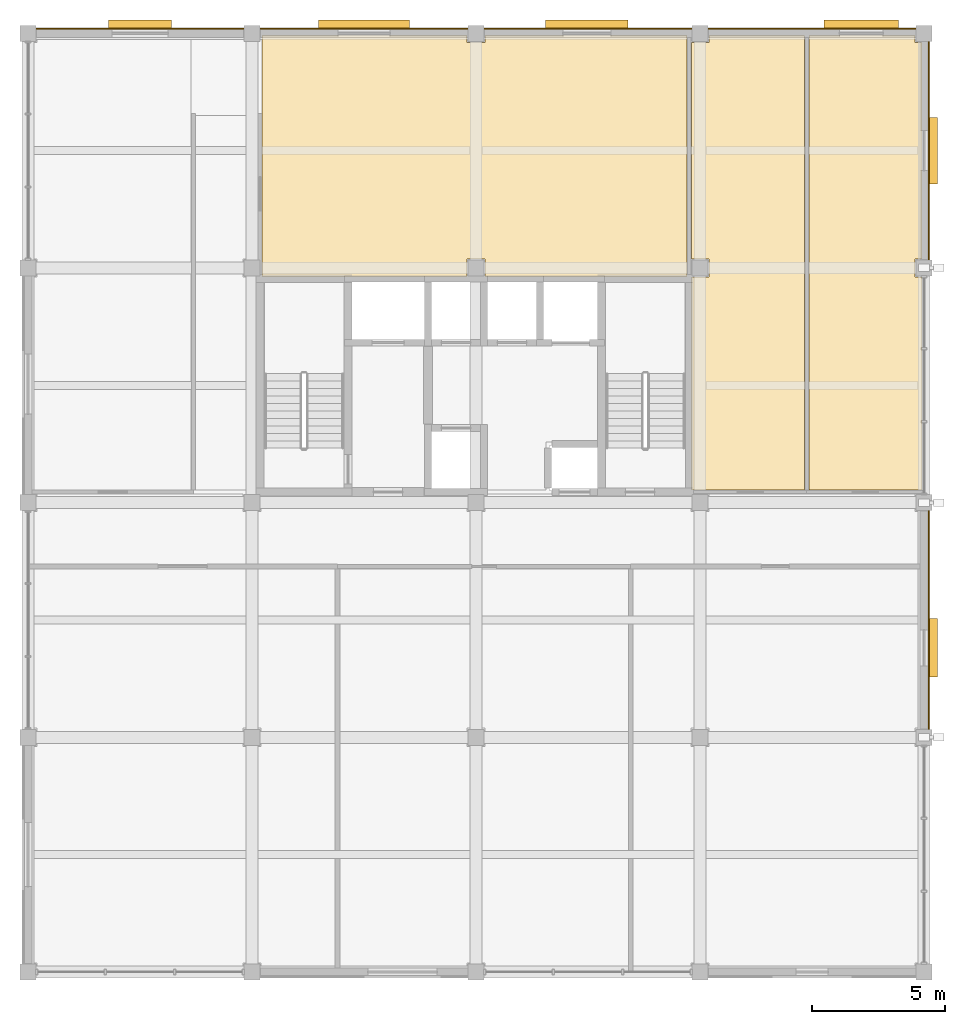
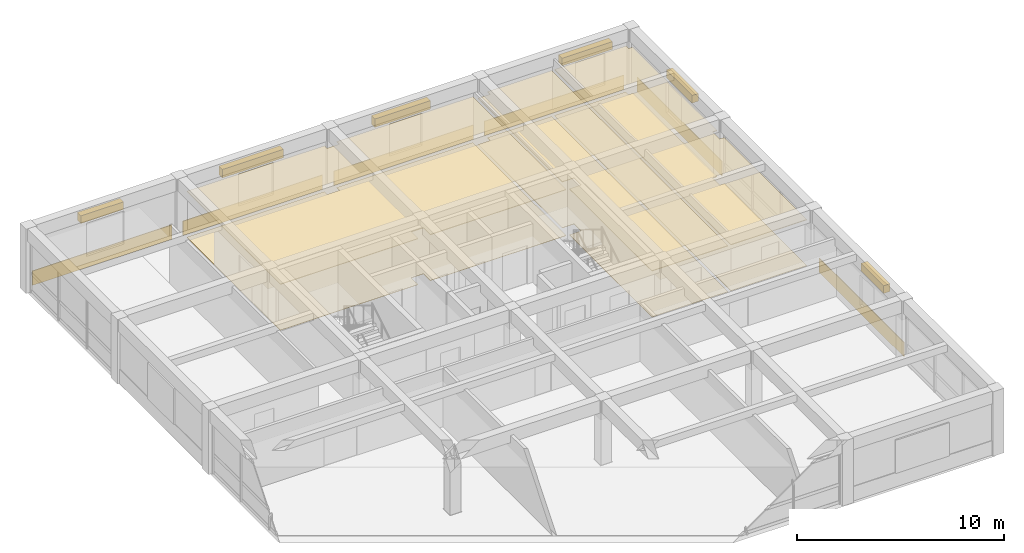
# One storey, part 12 of 12: 12 coverings, 6 shading devices.
"""IFC4 building model written with IfcOpenShell, lengths in metres."""

from ifc_helpers import new_model, si_unit, direction, frame, origin, origin_2d, place, context, subcontext, project, spatial, polyline, rectangle, outline, extrude, material, layer, layer_set, type_object, element, save


model = new_model("IFC4")

# Units and contexts
model_context = context("Model", 3, precision=1e-05, world=origin(), true_north=direction((0.0, 1.0)))
body_context = subcontext(model_context, "Body", "Model", "MODEL_VIEW")
ifc_project = project(units=[si_unit("LENGTHUNIT", "METRE"), si_unit("AREAUNIT", "SQUARE_METRE"), si_unit("VOLUMEUNIT", "CUBIC_METRE"), si_unit("PLANEANGLEUNIT", "RADIAN"), si_unit("MASSUNIT", "GRAM", prefix="KILO")], contexts=[model_context])

# Site, building, storey
site_placement = place(None, origin())
site = spatial("IfcSite", under=ifc_project, at=site_placement, CompositionType="ELEMENT")
building_placement = place(site_placement, origin())
building = spatial("IfcBuilding", under=site, at=building_placement, Name="Kemercrest Conservatory and Botanical Centre", CompositionType="ELEMENT")
storey_placement = place(building_placement, frame((0.0, 0.0, 52.199951171875)))
storey = spatial("IfcBuildingStorey", under=building, at=storey_placement, Name="L13", CompositionType="ELEMENT", Elevation=52.199951171875)

# Coverings
ifc_material_1 = material(Name="Honed limestone almasik ashlar rainscreen", Category="masonry")
ifc_layer_1 = layer(ifc_material_1, 0.0400390625)
ifc_layer_set_1 = layer_set([ifc_layer_1], Name="Honed limestone almasik ashlar rainscreen")
covering_type_1 = type_object("IfcCoveringType", Name="CV-CLD040", PredefinedType="CLADDING", material=ifc_layer_set_1)
covering_1_placement = place(storey_placement, origin())
element("IfcCovering", 1, at=covering_1_placement, inside=storey, type_object=covering_type_1, Name="Exterior stone spandrel cladding (WAL:L13:EXT-325)", PredefinedType="CLADDING", context=body_context, shape_type="SweptSolid", body=[
    extrude(outline(polyline([(176.14990234375, 96.31005859375), (176.18994140625, 96.31005859375), (176.18994140625, 104.489990234375), (176.14990234375, 104.489990234375), (176.14990234375, 96.31005859375)])), origin(), (0.0, 0.0, 1.0), 0.85009765625),
])
covering_2_placement = place(storey_placement, origin())
element("IfcCovering", 2, at=covering_2_placement, inside=storey, type_object=covering_type_1, Name="Exterior stone spandrel cladding (WAL:L13:EXT-326)", PredefinedType="CLADDING", context=body_context, shape_type="SweptSolid", body=[
    extrude(outline(polyline([(176.14990234375, 113.909912109375), (176.18994140625, 113.909912109375), (176.18994140625, 122.090087890625), (176.14990234375, 122.090087890625), (176.14990234375, 113.909912109375)])), origin(), (0.0, 0.0, 1.0), 0.85009765625),
])
covering_3_placement = place(storey_placement, origin())
element("IfcCovering", 3, at=covering_3_placement, inside=storey, type_object=covering_type_1, Name="Exterior stone spandrel cladding (WAL:L13:EXT-327)", PredefinedType="CLADDING", context=body_context, shape_type="SweptSolid", body=[
    extrude(outline(polyline([(175.68994140625, 122.550048828125), (175.68994140625, 122.590087890625), (167.909912109375, 122.590087890625), (167.909912109375, 122.550048828125), (175.68994140625, 122.550048828125)])), origin(), (0.0, 0.0, 1.0), 0.85009765625),
])
covering_4_placement = place(storey_placement, origin())
element("IfcCovering", 4, at=covering_4_placement, inside=storey, type_object=covering_type_1, Name="Exterior stone spandrel cladding (WAL:L13:EXT-328)", PredefinedType="CLADDING", context=body_context, shape_type="SweptSolid", body=[
    extrude(outline(polyline([(167.2900390625, 122.550048828125), (167.2900390625, 122.590087890625), (159.510009765625, 122.590087890625), (159.510009765625, 122.550048828125), (167.2900390625, 122.550048828125)])), origin(), (0.0, 0.0, 1.0), 0.85009765625),
])
covering_5_placement = place(storey_placement, origin())
element("IfcCovering", 5, at=covering_5_placement, inside=storey, type_object=covering_type_1, Name="Exterior stone spandrel cladding (WAL:L13:EXT-329)", PredefinedType="CLADDING", context=body_context, shape_type="SweptSolid", body=[
    extrude(outline(polyline([(158.889892578125, 122.550048828125), (158.889892578125, 122.590087890625), (151.110107421875, 122.590087890625), (151.110107421875, 122.550048828125), (158.889892578125, 122.550048828125)])), origin(), (0.0, 0.0, 1.0), 0.85009765625),
])
covering_6_placement = place(storey_placement, origin())
element("IfcCovering", 6, at=covering_6_placement, inside=storey, type_object=covering_type_1, Name="Exterior stone spandrel cladding (WAL:L13:EXT-330)", PredefinedType="CLADDING", context=body_context, shape_type="SweptSolid", body=[
    extrude(outline(polyline([(150.489990234375, 122.550048828125), (150.489990234375, 122.590087890625), (142.7099609375, 122.590087890625), (142.7099609375, 122.550048828125), (150.489990234375, 122.550048828125)])), origin(), (0.0, 0.0, 1.0), 0.85009765625),
])
ifc_material_2 = material(Name="Perforated acoustic gypsum and mineral-fibre suspended ceiling", Category="gypsum")
ifc_layer_2 = layer(ifc_material_2, 0.034912109375)
ifc_layer_set_2 = layer_set([ifc_layer_2], Name="Perforated acoustic gypsum and mineral-fibre suspended ceiling")
covering_type_2 = type_object("IfcCoveringType", Name="CV-CLG035", PredefinedType="CEILING", material=ifc_layer_set_2)
covering_7_placement = place(storey_placement, frame((0.0, 0.0, 2.699951171875)))
element("IfcCovering", 7, at=covering_7_placement, inside=storey, type_object=covering_type_2, Name="Botanical Archive Reading Studio suspended acoustic ceiling", PredefinedType="CEILING", context=body_context, shape_type="SweptSolid", body=[
    extrude(outline(polyline([(159.5400390625, 113.280029296875), (167.1201171875, 113.280029296875), (167.1201171875, 122.320068359375), (159.5400390625, 122.320068359375), (159.5400390625, 122.06005859375), (158.860107421875, 122.06005859375), (158.860107421875, 122.320068359375), (151.179931640625, 122.320068359375), (151.179931640625, 113.280029296875), (158.860107421875, 113.280029296875), (158.860107421875, 113.93994140625), (159.5400390625, 113.93994140625), (159.5400390625, 113.280029296875)])), origin(), (0.0, 0.0, 1.0), 0.03515625),
])
covering_8_placement = place(storey_placement, frame((0.0, 0.0, 2.699951171875)))
element("IfcCovering", 8, at=covering_8_placement, inside=storey, type_object=covering_type_2, Name="Staff Washroom suspended acoustic ceiling", PredefinedType="CEILING", context=body_context, shape_type="SweptSolid", body=[
    extrude(outline(polyline([(167.280029296875, 105.280029296875), (171.52001953125, 105.280029296875), (171.52001953125, 122.320068359375), (167.93994140625, 122.320068359375), (167.93994140625, 122.06005859375), (167.280029296875, 122.06005859375), (167.280029296875, 113.93994140625), (167.93994140625, 113.93994140625), (167.93994140625, 113.260009765625), (167.280029296875, 113.260009765625), (167.280029296875, 105.280029296875)])), origin(), (0.0, 0.0, 1.0), 0.03515625),
])
covering_9_placement = place(storey_placement, frame((0.0, 0.0, 2.699951171875)))
element("IfcCovering", 9, at=covering_9_placement, inside=storey, type_object=covering_type_2, Name="Accessible Washroom suspended acoustic ceiling", PredefinedType="CEILING", context=body_context, shape_type="SweptSolid", body=[
    extrude(outline(polyline([(171.679931640625, 105.280029296875), (175.919921875, 105.280029296875), (175.919921875, 113.260009765625), (175.659912109375, 113.260009765625), (175.659912109375, 113.93994140625), (175.919921875, 113.93994140625), (175.919921875, 122.06005859375), (175.659912109375, 122.06005859375), (175.659912109375, 122.320068359375), (171.679931640625, 122.320068359375), (171.679931640625, 105.280029296875)])), origin(), (0.0, 0.0, 1.0), 0.03515625),
])
ifc_material_3 = material(Name="Polished limestone terrazzo and seamless laboratory epoxy flooring", Category="masonry")
ifc_layer_3 = layer(ifc_material_3, 0.02001953125)
ifc_layer_set_3 = layer_set([ifc_layer_3], Name="Polished limestone terrazzo and seamless laboratory epoxy flooring")
covering_type_3 = type_object("IfcCoveringType", Name="CV-FLR020", PredefinedType="FLOORING", material=ifc_layer_set_3)
covering_10_placement = place(storey_placement, origin())
element("IfcCovering", 10, at=covering_10_placement, inside=storey, type_object=covering_type_3, Name="Botanical Archive Reading Studio floor finish", PredefinedType="FLOORING", context=body_context, shape_type="SweptSolid", body=[
    extrude(outline(polyline([(159.5400390625, 113.280029296875), (167.1201171875, 113.280029296875), (167.1201171875, 122.320068359375), (159.5400390625, 122.320068359375), (159.5400390625, 122.06005859375), (158.860107421875, 122.06005859375), (158.860107421875, 122.320068359375), (151.179931640625, 122.320068359375), (151.179931640625, 113.280029296875), (158.860107421875, 113.280029296875), (158.860107421875, 113.93994140625), (159.5400390625, 113.93994140625), (159.5400390625, 113.280029296875)])), origin(), (0.0, 0.0, 1.0), 0.02001953125),
])
covering_11_placement = place(storey_placement, origin())
element("IfcCovering", 11, at=covering_11_placement, inside=storey, type_object=covering_type_3, Name="Staff Washroom floor finish", PredefinedType="FLOORING", context=body_context, shape_type="SweptSolid", body=[
    extrude(outline(polyline([(167.280029296875, 105.280029296875), (171.52001953125, 105.280029296875), (171.52001953125, 122.320068359375), (167.93994140625, 122.320068359375), (167.93994140625, 122.06005859375), (167.280029296875, 122.06005859375), (167.280029296875, 113.93994140625), (167.93994140625, 113.93994140625), (167.93994140625, 113.260009765625), (167.280029296875, 113.260009765625), (167.280029296875, 105.280029296875)])), origin(), (0.0, 0.0, 1.0), 0.02001953125),
])
covering_12_placement = place(storey_placement, origin())
element("IfcCovering", 12, at=covering_12_placement, inside=storey, type_object=covering_type_3, Name="Accessible Washroom floor finish", PredefinedType="FLOORING", context=body_context, shape_type="SweptSolid", body=[
    extrude(outline(polyline([(171.679931640625, 105.280029296875), (175.919921875, 105.280029296875), (175.919921875, 113.260009765625), (175.659912109375, 113.260009765625), (175.659912109375, 113.93994140625), (175.919921875, 113.93994140625), (175.919921875, 122.06005859375), (175.659912109375, 122.06005859375), (175.659912109375, 122.320068359375), (171.679931640625, 122.320068359375), (171.679931640625, 105.280029296875)])), origin(), (0.0, 0.0, 1.0), 0.02001953125),
])

# Shading devices
ifc_material_4 = material(Name="Architectural bronze-anodized extruded aluminium", Category="aluminium")
shading_device_type_1 = type_object("IfcShadingDeviceType", Name="SH-JL01", PredefinedType="JALOUSIE", material=ifc_material_4)
shading_device_1_placement = place(storey_placement, frame((176.322998046875, 99.35498046875, 2.55517578125), z_axis=(0.0, 0.0, 1.0), x_axis=(0.0, 1.0, 0.0)))
element("IfcShadingDevice", 13, at=shading_device_1_placement, inside=storey, type_object=shading_device_type_1, Name="Solar control louvre visor SH-JL01 (WIN:L13:EXT-325)", PredefinedType="JALOUSIE", context=body_context, shape_type="SweptSolid", body=[
    extrude(rectangle(XDim=2.199951171875, YDim=0.35009765625, at=origin_2d()), origin(), (0.0, 0.0, 1.0), 0.449951171875),
])
shading_device_2_placement = place(storey_placement, frame((146.60009765625, 122.722900390625, 2.705078125), z_axis=(0.0, 0.0, 1.0), x_axis=(-1.0, 0.0, 0.0)))
element("IfcShadingDevice", 14, at=shading_device_2_placement, inside=storey, type_object=shading_device_type_1, Name="Solar control louvre visor SH-JL01 (WIN:L13:EXT-330)", PredefinedType="JALOUSIE", context=body_context, shape_type="SweptSolid", body=[
    extrude(rectangle(XDim=2.3798828125, YDim=0.35009765625, at=origin_2d()), origin(), (0.0, 0.0, 1.0), 0.449951171875),
])
shading_device_type_2 = type_object("IfcShadingDeviceType", Name="SH-JL02", PredefinedType="JALOUSIE", material=ifc_material_4)
shading_device_3_placement = place(storey_placement, frame((176.322998046875, 118.0, 2.55517578125), z_axis=(0.0, 0.0, 1.0), x_axis=(0.0, 1.0, 0.0)))
element("IfcShadingDevice", 15, at=shading_device_3_placement, inside=storey, type_object=shading_device_type_2, Name="Solar control louvre visor SH-JL02 (WIN:L13:EXT-326)", PredefinedType="JALOUSIE", context=body_context, shape_type="SweptSolid", body=[
    extrude(rectangle(XDim=2.5, YDim=0.35009765625, at=origin_2d()), origin(), (0.0, 0.0, 1.0), 0.449951171875),
])
shading_device_type_3 = type_object("IfcShadingDeviceType", Name="SH-JL03", PredefinedType="JALOUSIE", material=ifc_material_4)
shading_device_4_placement = place(storey_placement, frame((173.64501953125, 122.722900390625, 2.60498046875), z_axis=(0.0, 0.0, 1.0), x_axis=(-1.0, 0.0, 0.0)))
element("IfcShadingDevice", 16, at=shading_device_4_placement, inside=storey, type_object=shading_device_type_3, Name="Solar control louvre visor SH-JL03 (WIN:L13:EXT-327)", PredefinedType="JALOUSIE", context=body_context, shape_type="SweptSolid", body=[
    extrude(rectangle(XDim=2.800048828125, YDim=0.35009765625, at=origin_2d()), origin(), (0.0, 0.0, 1.0), 0.449951171875),
])
shading_device_type_4 = type_object("IfcShadingDeviceType", Name="SH-JL04", PredefinedType="JALOUSIE", material=ifc_material_4)
shading_device_5_placement = place(storey_placement, frame((163.35498046875, 122.722900390625, 2.630126953125), z_axis=(0.0, 0.0, 1.0), x_axis=(-1.0, 0.0, 0.0)))
element("IfcShadingDevice", 17, at=shading_device_5_placement, inside=storey, type_object=shading_device_type_4, Name="Solar control louvre visor SH-JL04 (WIN:L13:EXT-328)", PredefinedType="JALOUSIE", context=body_context, shape_type="SweptSolid", body=[
    extrude(rectangle(XDim=3.10009765625, YDim=0.35009765625, at=origin_2d()), origin(), (0.0, 0.0, 1.0), 0.5),
])
shading_device_type_5 = type_object("IfcShadingDeviceType", Name="SH-JL05", PredefinedType="JALOUSIE", material=ifc_material_4)
shading_device_6_placement = place(storey_placement, frame((155.0, 122.722900390625, 2.630126953125), z_axis=(0.0, 0.0, 1.0), x_axis=(-1.0, 0.0, 0.0)))
element("IfcShadingDevice", 18, at=shading_device_6_placement, inside=storey, type_object=shading_device_type_5, Name="Solar control louvre visor SH-JL05 (WIN:L13:EXT-329)", PredefinedType="JALOUSIE", context=body_context, shape_type="SweptSolid", body=[
    extrude(rectangle(XDim=3.39990234375, YDim=0.35009765625, at=origin_2d()), origin(), (0.0, 0.0, 1.0), 0.5),
])

save(model, "model.ifc")
